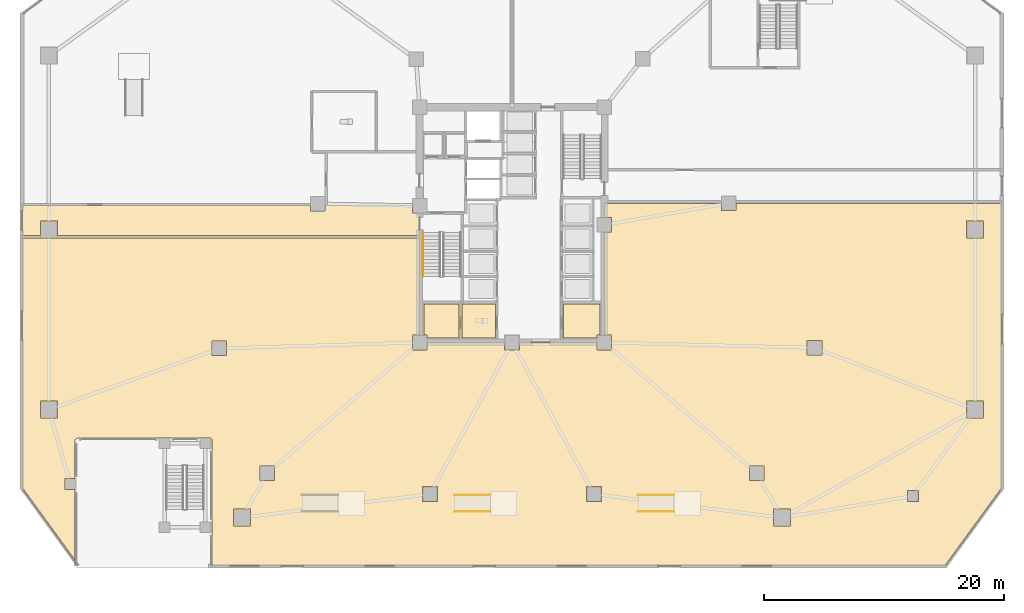
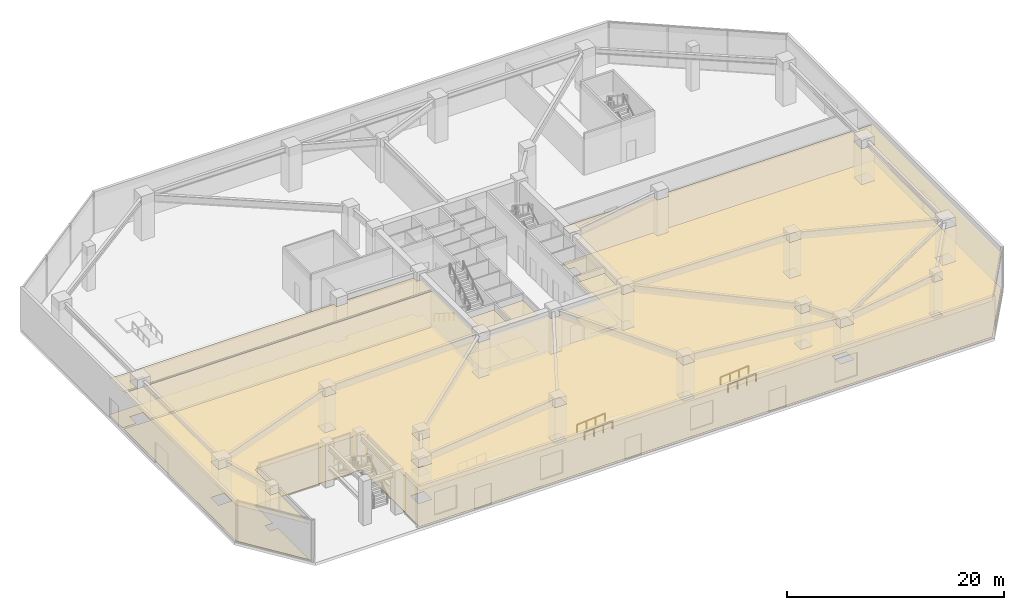
# One storey, part 14 of 22: 10 coverings, 5 railings.
"""IFC4 building model written with IfcOpenShell, lengths in metres."""

from ifc_helpers import new_model, si_unit, direction, frame, origin, origin_2d, place, context, subcontext, project, spatial, polyline, circle, outline, extrude, material, layer, layer_set, type_object, element, save


model = new_model("IFC4")

# Units and contexts
model_context = context("Model", 3, precision=1e-05, world=origin(), true_north=direction((0.0, 1.0)))
body_context = subcontext(model_context, "Body", "Model", "MODEL_VIEW")
ifc_project = project(units=[si_unit("LENGTHUNIT", "METRE"), si_unit("AREAUNIT", "SQUARE_METRE"), si_unit("VOLUMEUNIT", "CUBIC_METRE"), si_unit("PLANEANGLEUNIT", "RADIAN"), si_unit("MASSUNIT", "GRAM", prefix="KILO")], contexts=[model_context])

# Site, building, storey
site_placement = place(None, origin())
site = spatial("IfcSite", under=ifc_project, at=site_placement, CompositionType="ELEMENT")
building_placement = place(site_placement, origin())
building = spatial("IfcBuilding", under=site, at=building_placement, Name="Savorim Split Tower", CompositionType="ELEMENT")
storey_placement = place(building_placement, origin())
storey = spatial("IfcBuildingStorey", under=building, at=storey_placement, Name="L00", CompositionType="ELEMENT", Elevation=0.0)

# Coverings
ifc_material_1 = material(Name="Mineral Fibre Acoustic Ceiling")
ifc_layer_1 = layer(ifc_material_1, 0.02490234375)
ifc_layer_set_1 = layer_set([ifc_layer_1], Name="COV-CEIL-25")
covering_type_1 = type_object("IfcCoveringType", Name="COV-CEIL-25", PredefinedType="CEILING", material=ifc_layer_set_1)
covering_1_placement = place(storey_placement, frame((0.0, 0.0, 4.0400390625)))
element("IfcCovering", 1, at=covering_1_placement, inside=storey, type_object=covering_type_1, Name="L00 Housekeeping Store Acoustic Ceiling", PredefinedType="CEILING", context=body_context, shape_type="SweptSolid", body=[
    extrude(outline(polyline([(-4.429931640625, -6.179931640625), (-7.320068359375, -6.179931640625), (-7.320068359375, -8.7900390625), (-7.090087890625, -8.7900390625), (-7.090087890625, -9.02001953125), (-4.429931640625, -9.02001953125), (-4.429931640625, -6.179931640625)])), origin(), (0.0, 0.0, 1.0), 0.02490234375),
])
covering_2_placement = place(storey_placement, frame((0.0, 0.0, 4.0400390625)))
element("IfcCovering", 2, at=covering_2_placement, inside=storey, type_object=covering_type_1, Name="L00 Accessible WC Acoustic Ceiling", PredefinedType="CEILING", context=body_context, shape_type="SweptSolid", body=[
    extrude(outline(polyline([(-4.169921875, -6.179931640625), (-4.169921875, -9.02001953125), (-1.3798828125, -9.02001953125), (-1.3798828125, -6.179931640625), (-4.169921875, -6.179931640625)])), origin(), (0.0, 0.0, 1.0), 0.02490234375),
])
covering_3_placement = place(storey_placement, frame((0.0, 0.0, 4.0400390625)))
element("IfcCovering", 3, at=covering_3_placement, inside=storey, type_object=covering_type_1, Name="L00 Core IT Server Room Acoustic Ceiling", PredefinedType="CEILING", context=body_context, shape_type="SweptSolid", body=[
    extrude(outline(polyline([(4.280029296875, -6.179931640625), (4.280029296875, -9.02001953125), (7.090087890625, -9.02001953125), (7.090087890625, -8.7900390625), (7.320068359375, -8.7900390625), (7.320068359375, -6.179931640625), (4.280029296875, -6.179931640625)])), origin(), (0.0, 0.0, 1.0), 0.02490234375),
])
covering_4_placement = place(storey_placement, frame((0.0, 0.0, 4.0400390625)))
element("IfcCovering", 4, at=covering_4_placement, inside=storey, type_object=covering_type_1, Name="L00 Exit Passage West Acoustic Ceiling", PredefinedType="CEILING", context=body_context, shape_type="SweptSolid", body=[
    extrude(outline(polyline([(-37.889892578125, -0.5), (-7.699951171875, -0.5), (-7.699951171875, 1.389892578125), (-8.31005859375, 1.389892578125), (-8.31005859375, 2.0), (-15.57861328125, 2.0), (-15.57861328125, 1.543701171875), (-16.798583984375, 1.543701171875), (-16.798583984375, 2.0), (-40.780029296875, 2.0), (-40.780029296875, -0.5), (-39.31005859375, -0.5), (-39.31005859375, 0.7099609375), (-37.889892578125, 0.7099609375), (-37.889892578125, -0.5)])), origin(), (0.0, 0.0, 1.0), 0.02490234375),
])
covering_5_placement = place(storey_placement, frame((0.0, 0.0, 4.0400390625)))
element("IfcCovering", 5, at=covering_5_placement, inside=storey, type_object=covering_type_1, Name="L00 Entrance Concourse Acoustic Ceiling", PredefinedType="CEILING", context=body_context, shape_type="SweptSolid", body=[
    extrude(outline(polyline([(-24.97998046875, -27.97998046875), (36.087890625, -27.97998046875), (40.780029296875, -21.528564453125), (40.780029296875, 2.199951171875), (18.659423828125, 2.199951171875), (18.659423828125, 1.592529296875), (17.439453125, 1.592529296875), (17.439453125, 2.199951171875), (7.699951171875, 2.199951171875), (7.699951171875, 1.010009765625), (8.31005859375, 1.010009765625), (8.31005859375, -0.2099609375), (7.699951171875, -0.2099609375), (7.699951171875, -8.7900390625), (8.31005859375, -8.7900390625), (8.31005859375, -10.010009765625), (7.090087890625, -10.010009765625), (7.090087890625, -9.39990234375), (0.610107421875, -9.39990234375), (0.610107421875, -10.010009765625), (-0.610107421875, -10.010009765625), (-0.610107421875, -9.39990234375), (-7.090087890625, -9.39990234375), (-7.090087890625, -10.010009765625), (-8.31005859375, -10.010009765625), (-8.31005859375, -8.7900390625), (-7.699951171875, -8.7900390625), (-7.699951171875, -0.699951171875), (-37.889892578125, -0.699951171875), (-37.889892578125, -0.7099609375), (-39.31005859375, -0.7099609375), (-39.31005859375, -0.699951171875), (-40.780029296875, -0.699951171875), (-40.780029296875, -21.528564453125), (-36.419921875, -27.5234375), (-36.419921875, -21.659912109375), (-37.260009765625, -21.659912109375), (-37.260009765625, -20.739990234375), (-36.419921875, -20.739990234375), (-36.419921875, -17.60009765625), (-36.4189453125, -17.578369140625), (-36.415771484375, -17.55712890625), (-36.410400390625, -17.5361328125), (-36.4033203125, -17.515869140625), (-36.39404296875, -17.496337890625), (-36.3828125, -17.477783203125), (-36.3701171875, -17.46044921875), (-36.355712890625, -17.4443359375), (-36.339599609375, -17.429931640625), (-36.322265625, -17.4169921875), (-36.3037109375, -17.406005859375), (-36.2841796875, -17.396728515625), (-36.263916015625, -17.389404296875), (-36.242919921875, -17.38427734375), (-36.2216796875, -17.381103515625), (-36.199951171875, -17.3798828125), (-29.409912109375, -17.3798828125), (-29.409912109375, -17.340087890625), (-28.489990234375, -17.340087890625), (-28.489990234375, -17.3798828125), (-26.010009765625, -17.3798828125), (-26.010009765625, -17.340087890625), (-25.090087890625, -17.340087890625), (-25.090087890625, -17.40966796875), (-25.077880859375, -17.4169921875), (-25.060302734375, -17.429931640625), (-25.04443359375, -17.4443359375), (-25.02978515625, -17.46044921875), (-25.01708984375, -17.477783203125), (-25.006103515625, -17.496337890625), (-24.99658203125, -17.515869140625), (-24.989501953125, -17.5361328125), (-24.984130859375, -17.55712890625), (-24.981201171875, -17.578369140625), (-24.97998046875, -17.60009765625), (-24.97998046875, -27.97998046875)]), holes=[polyline([(37.889892578125, -14.2900390625), (37.889892578125, -15.7099609375), (39.31005859375, -15.7099609375), (39.31005859375, -14.2900390625), (37.889892578125, -14.2900390625)]), polyline([(37.889892578125, 0.7099609375), (37.889892578125, -0.7099609375), (39.31005859375, -0.7099609375), (39.31005859375, 0.7099609375), (37.889892578125, 0.7099609375)]), polyline([(-39.31005859375, -14.2900390625), (-39.31005859375, -15.7099609375), (-37.889892578125, -15.7099609375), (-37.889892578125, -14.2900390625), (-39.31005859375, -14.2900390625)]), polyline([(-23.2099609375, -24.7099609375), (-21.7900390625, -24.7099609375), (-21.7900390625, -23.2900390625), (-23.2099609375, -23.2900390625), (-23.2099609375, -24.7099609375)]), polyline([(21.7900390625, -24.7099609375), (23.2099609375, -24.7099609375), (23.2099609375, -23.2900390625), (21.7900390625, -23.2900390625), (21.7900390625, -24.7099609375)]), polyline([(-19.774169921875, -20.90185546875), (-19.774169921875, -19.681884765625), (-20.994140625, -19.681884765625), (-20.994140625, -20.90185546875), (-19.774169921875, -20.90185546875)]), polyline([(-6.2216796875, -21.421875), (-7.44189453125, -21.421875), (-7.44189453125, -22.641845703125), (-6.2216796875, -22.641845703125), (-6.2216796875, -21.421875)]), polyline([(6.2216796875, -21.421875), (6.2216796875, -22.641845703125), (7.44189453125, -22.641845703125), (7.44189453125, -21.421875), (6.2216796875, -21.421875)]), polyline([(19.774169921875, -20.90185546875), (20.994140625, -20.90185546875), (20.994140625, -19.681884765625), (19.774169921875, -19.681884765625), (19.774169921875, -20.90185546875)]), polyline([(25.823486328125, -10.45556640625), (25.823486328125, -9.235595703125), (24.603515625, -9.235595703125), (24.603515625, -10.45556640625), (25.823486328125, -10.45556640625)]), polyline([(-23.7744140625, -9.2841796875), (-24.994384765625, -9.2841796875), (-24.994384765625, -10.50439453125), (-23.7744140625, -10.50439453125), (-23.7744140625, -9.2841796875)]), polyline([(32.93994140625, -21.739990234375), (32.93994140625, -22.659912109375), (33.860107421875, -22.659912109375), (33.860107421875, -21.739990234375), (32.93994140625, -21.739990234375)])]), origin(), (0.0, 0.0, 1.0), 0.02490234375),
])
ifc_material_2 = material(Name="Porcelain Stoneware Flooring", Category="masonry")
ifc_layer_2 = layer(ifc_material_2, 0.02001953125)
ifc_layer_set_2 = layer_set([ifc_layer_2], Name="COV-FLOR-20")
covering_type_2 = type_object("IfcCoveringType", Name="COV-FLOR-20", PredefinedType="FLOORING", material=ifc_layer_set_2)
covering_6_placement = place(storey_placement, origin())
element("IfcCovering", 6, at=covering_6_placement, inside=storey, type_object=covering_type_2, Name="L00 Housekeeping Store Porcelain Flooring", PredefinedType="FLOORING", context=body_context, shape_type="SweptSolid", body=[
    extrude(outline(polyline([(-4.429931640625, -6.179931640625), (-7.320068359375, -6.179931640625), (-7.320068359375, -8.7900390625), (-7.090087890625, -8.7900390625), (-7.090087890625, -9.02001953125), (-4.429931640625, -9.02001953125), (-4.429931640625, -6.179931640625)])), origin(), (0.0, 0.0, 1.0), 0.02001953125),
])
covering_7_placement = place(storey_placement, origin())
element("IfcCovering", 7, at=covering_7_placement, inside=storey, type_object=covering_type_2, Name="L00 Accessible WC Porcelain Flooring", PredefinedType="FLOORING", context=body_context, shape_type="SweptSolid", body=[
    extrude(outline(polyline([(-4.169921875, -6.179931640625), (-4.169921875, -9.02001953125), (-1.3798828125, -9.02001953125), (-1.3798828125, -6.179931640625), (-4.169921875, -6.179931640625)])), origin(), (0.0, 0.0, 1.0), 0.02001953125),
])
covering_8_placement = place(storey_placement, origin())
element("IfcCovering", 8, at=covering_8_placement, inside=storey, type_object=covering_type_2, Name="L00 Core IT Server Room Porcelain Flooring", PredefinedType="FLOORING", context=body_context, shape_type="SweptSolid", body=[
    extrude(outline(polyline([(4.280029296875, -6.179931640625), (4.280029296875, -9.02001953125), (7.090087890625, -9.02001953125), (7.090087890625, -8.7900390625), (7.320068359375, -8.7900390625), (7.320068359375, -6.179931640625), (4.280029296875, -6.179931640625)])), origin(), (0.0, 0.0, 1.0), 0.02001953125),
])
covering_9_placement = place(storey_placement, origin())
element("IfcCovering", 9, at=covering_9_placement, inside=storey, type_object=covering_type_2, Name="L00 Exit Passage West Porcelain Flooring", PredefinedType="FLOORING", context=body_context, shape_type="SweptSolid", body=[
    extrude(outline(polyline([(-37.889892578125, -0.5), (-7.699951171875, -0.5), (-7.699951171875, 1.389892578125), (-8.31005859375, 1.389892578125), (-8.31005859375, 2.0), (-15.57861328125, 2.0), (-15.57861328125, 1.543701171875), (-16.798583984375, 1.543701171875), (-16.798583984375, 2.0), (-40.780029296875, 2.0), (-40.780029296875, -0.5), (-39.31005859375, -0.5), (-39.31005859375, 0.7099609375), (-37.889892578125, 0.7099609375), (-37.889892578125, -0.5)])), origin(), (0.0, 0.0, 1.0), 0.02001953125),
])
covering_10_placement = place(storey_placement, origin())
element("IfcCovering", 10, at=covering_10_placement, inside=storey, type_object=covering_type_2, Name="L00 Entrance Concourse Porcelain Flooring", PredefinedType="FLOORING", context=body_context, shape_type="SweptSolid", body=[
    extrude(outline(polyline([(-24.97998046875, -27.97998046875), (36.087890625, -27.97998046875), (40.780029296875, -21.528564453125), (40.780029296875, 2.199951171875), (18.659423828125, 2.199951171875), (18.659423828125, 1.592529296875), (17.439453125, 1.592529296875), (17.439453125, 2.199951171875), (7.699951171875, 2.199951171875), (7.699951171875, 1.010009765625), (8.31005859375, 1.010009765625), (8.31005859375, -0.2099609375), (7.699951171875, -0.2099609375), (7.699951171875, -8.7900390625), (8.31005859375, -8.7900390625), (8.31005859375, -10.010009765625), (7.090087890625, -10.010009765625), (7.090087890625, -9.39990234375), (0.610107421875, -9.39990234375), (0.610107421875, -10.010009765625), (-0.610107421875, -10.010009765625), (-0.610107421875, -9.39990234375), (-7.090087890625, -9.39990234375), (-7.090087890625, -10.010009765625), (-8.31005859375, -10.010009765625), (-8.31005859375, -8.7900390625), (-7.699951171875, -8.7900390625), (-7.699951171875, -0.699951171875), (-37.889892578125, -0.699951171875), (-37.889892578125, -0.7099609375), (-39.31005859375, -0.7099609375), (-39.31005859375, -0.699951171875), (-40.780029296875, -0.699951171875), (-40.780029296875, -21.528564453125), (-36.419921875, -27.5234375), (-36.419921875, -21.659912109375), (-37.260009765625, -21.659912109375), (-37.260009765625, -20.739990234375), (-36.419921875, -20.739990234375), (-36.419921875, -17.60009765625), (-36.4189453125, -17.578369140625), (-36.415771484375, -17.55712890625), (-36.410400390625, -17.5361328125), (-36.4033203125, -17.515869140625), (-36.39404296875, -17.496337890625), (-36.3828125, -17.477783203125), (-36.3701171875, -17.46044921875), (-36.355712890625, -17.4443359375), (-36.339599609375, -17.429931640625), (-36.322265625, -17.4169921875), (-36.3037109375, -17.406005859375), (-36.2841796875, -17.396728515625), (-36.263916015625, -17.389404296875), (-36.242919921875, -17.38427734375), (-36.2216796875, -17.381103515625), (-36.199951171875, -17.3798828125), (-29.409912109375, -17.3798828125), (-29.409912109375, -17.340087890625), (-28.489990234375, -17.340087890625), (-28.489990234375, -17.3798828125), (-26.010009765625, -17.3798828125), (-26.010009765625, -17.340087890625), (-25.090087890625, -17.340087890625), (-25.090087890625, -17.40966796875), (-25.077880859375, -17.4169921875), (-25.060302734375, -17.429931640625), (-25.04443359375, -17.4443359375), (-25.02978515625, -17.46044921875), (-25.01708984375, -17.477783203125), (-25.006103515625, -17.496337890625), (-24.99658203125, -17.515869140625), (-24.989501953125, -17.5361328125), (-24.984130859375, -17.55712890625), (-24.981201171875, -17.578369140625), (-24.97998046875, -17.60009765625), (-24.97998046875, -27.97998046875)]), holes=[polyline([(37.889892578125, -14.2900390625), (37.889892578125, -15.7099609375), (39.31005859375, -15.7099609375), (39.31005859375, -14.2900390625), (37.889892578125, -14.2900390625)]), polyline([(37.889892578125, 0.7099609375), (37.889892578125, -0.7099609375), (39.31005859375, -0.7099609375), (39.31005859375, 0.7099609375), (37.889892578125, 0.7099609375)]), polyline([(-39.31005859375, -14.2900390625), (-39.31005859375, -15.7099609375), (-37.889892578125, -15.7099609375), (-37.889892578125, -14.2900390625), (-39.31005859375, -14.2900390625)]), polyline([(-23.2099609375, -24.7099609375), (-21.7900390625, -24.7099609375), (-21.7900390625, -23.2900390625), (-23.2099609375, -23.2900390625), (-23.2099609375, -24.7099609375)]), polyline([(21.7900390625, -24.7099609375), (23.2099609375, -24.7099609375), (23.2099609375, -23.2900390625), (21.7900390625, -23.2900390625), (21.7900390625, -24.7099609375)]), polyline([(-19.774169921875, -20.90185546875), (-19.774169921875, -19.681884765625), (-20.994140625, -19.681884765625), (-20.994140625, -20.90185546875), (-19.774169921875, -20.90185546875)]), polyline([(-6.2216796875, -21.421875), (-7.44189453125, -21.421875), (-7.44189453125, -22.641845703125), (-6.2216796875, -22.641845703125), (-6.2216796875, -21.421875)]), polyline([(6.2216796875, -21.421875), (6.2216796875, -22.641845703125), (7.44189453125, -22.641845703125), (7.44189453125, -21.421875), (6.2216796875, -21.421875)]), polyline([(19.774169921875, -20.90185546875), (20.994140625, -20.90185546875), (20.994140625, -19.681884765625), (19.774169921875, -19.681884765625), (19.774169921875, -20.90185546875)]), polyline([(25.823486328125, -10.45556640625), (25.823486328125, -9.235595703125), (24.603515625, -9.235595703125), (24.603515625, -10.45556640625), (25.823486328125, -10.45556640625)]), polyline([(-23.7744140625, -9.2841796875), (-24.994384765625, -9.2841796875), (-24.994384765625, -10.50439453125), (-23.7744140625, -10.50439453125), (-23.7744140625, -9.2841796875)]), polyline([(32.93994140625, -21.739990234375), (32.93994140625, -22.659912109375), (33.860107421875, -22.659912109375), (33.860107421875, -21.739990234375), (32.93994140625, -21.739990234375)])]), origin(), (0.0, 0.0, 1.0), 0.02001953125),
])

# Railings
ifc_material_3 = material(Name="Galvanised Painted Steel Balustrade", Category="steel")
railing_type = type_object("IfcRailingType", Name="RLG-HR-900", PredefinedType="HANDRAIL", material=ifc_material_3)
railing_placement = place(storey_placement, frame((-7.39990234375, -0.25, 0.178466796875)))
element("IfcRailing", 11, at=railing_placement, inside=storey, type_object=railing_type, Name="L00 ST-1 stair handrail 1", PredefinedType="HANDRAIL", context=body_context, shape_type="SweptSolid", body=[
    extrude(circle(Radius=0.02392578125, at=origin_2d()), frame((0.0, 0.0, 0.8759765625), z_axis=(0.0, -0.843111507901, 0.53773877045), x_axis=(1.0, 0.0, 0.0)), (0.0, 0.0, 1.0), 4.317138671875),
    extrude(circle(Radius=0.02099609375, at=origin_2d()), origin(), (0.0, 0.0, 1.0), 0.851806640625),
    extrude(circle(Radius=0.02099609375, at=origin_2d()), frame((0.0, -0.909912109375, 0.580322265625)), (0.0, 0.0, 1.0), 0.851806640625),
    extrude(circle(Radius=0.02099609375, at=origin_2d()), frame((0.0, -1.81982421875, 1.16064453125)), (0.0, 0.0, 1.0), 0.851806640625),
    extrude(circle(Radius=0.02099609375, at=origin_2d()), frame((0.0, -2.72998046875, 1.7412109375)), (0.0, 0.0, 1.0), 0.851806640625),
    extrude(circle(Radius=0.02099609375, at=origin_2d()), frame((0.0, -3.639892578125, 2.321533203125)), (0.0, 0.0, 1.0), 0.851806640625),
])
for number, where, name in (
    (12, (-4.800048828125, -23.5, 0.0), "L00 Main Entrance Colonnade Arrival Ramp Handrail 1"),
    (13, (-4.800048828125, -22.10009765625, 0.0), "L00 Main Entrance Colonnade Arrival Ramp Handrail 2"),
    (14, (10.5, -23.5, 0.0), "L00 Concourse East Arrival Ramp Handrail 1"),
    (15, (10.5, -22.10009765625, 0.0), "L00 Concourse East Arrival Ramp Handrail 2"),
):
    element("IfcRailing", number, at=place(storey_placement, frame(where)), inside=storey, type_object=railing_type, Name=name, PredefinedType="HANDRAIL", context=body_context, shape_type="SweptSolid", body=[
        extrude(circle(Radius=0.02392578125, at=origin_2d()), frame((0.0, 0.0, 0.8759765625), z_axis=(0.996815536467, 0.0, 0.079741998075), x_axis=(0.0, 1.0, 0.0)), (0.0, 0.0, 1.0), 3.009521484375),
        extrude(circle(Radius=0.02099609375, at=origin_2d()), origin(), (0.0, 0.0, 1.0), 0.851806640625),
        extrude(circle(Radius=0.02099609375, at=origin_2d()), frame((1.0, 0.0, 0.080078125)), (0.0, 0.0, 1.0), 0.851806640625),
        extrude(circle(Radius=0.02099609375, at=origin_2d()), frame((2.0, 0.0, 0.159912109375)), (0.0, 0.0, 1.0), 0.851806640625),
        extrude(circle(Radius=0.02099609375, at=origin_2d()), frame((3.0, 0.0, 0.239990234375)), (0.0, 0.0, 1.0), 0.851806640625),
    ])

save(model, "model.ifc")
